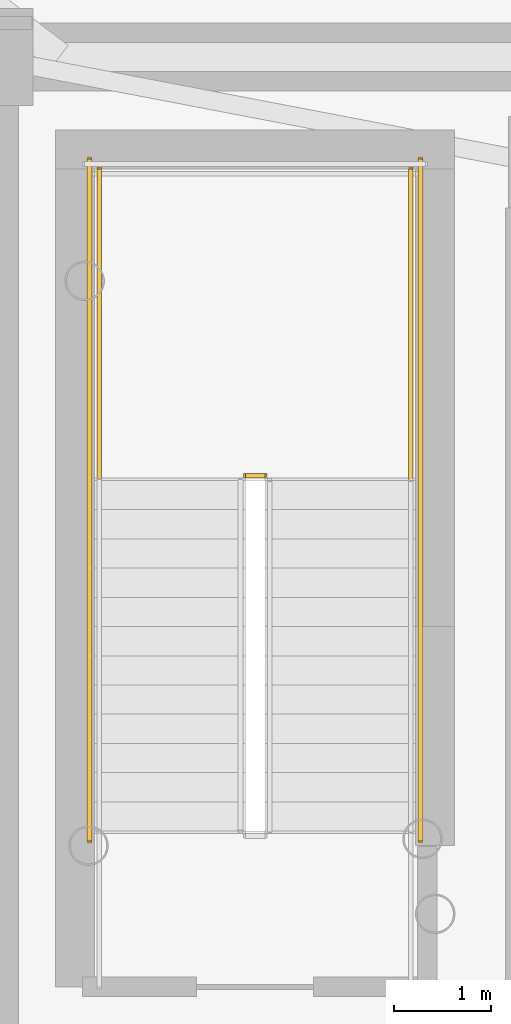
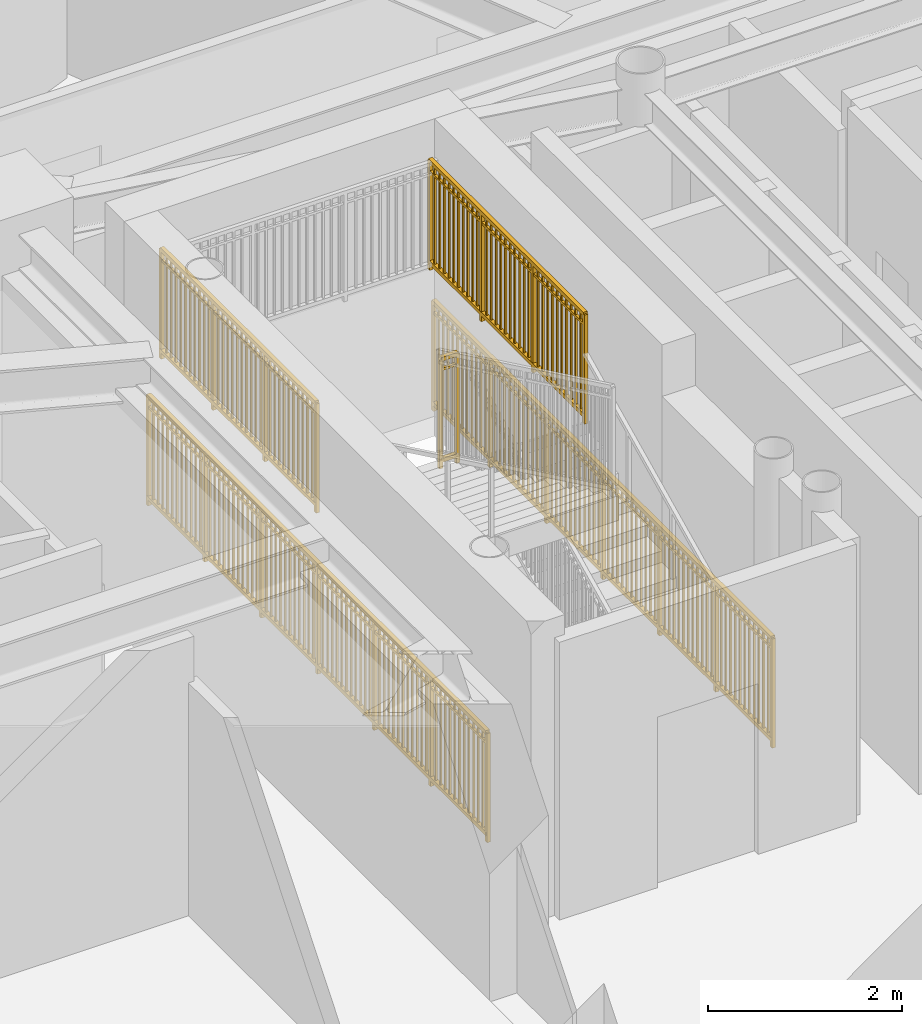
# One storey, part 13 of 18: 5 railings.
"""IFC4 building model written with IfcOpenShell, lengths in metres."""

from ifc_helpers import new_model, si_unit, direction, frame, origin, origin_2d, place, context, subcontext, project, spatial, rectangle, extrude, source, transform, mapped, material, type_object, element, save


model = new_model("IFC4")

# Units and contexts
model_context = context("Model", 3, precision=1e-05, world=origin(), true_north=direction((0.0, 1.0)))
body_context = subcontext(model_context, "Body", "Model", "MODEL_VIEW")
ifc_project = project(units=[si_unit("LENGTHUNIT", "METRE"), si_unit("AREAUNIT", "SQUARE_METRE"), si_unit("VOLUMEUNIT", "CUBIC_METRE"), si_unit("PLANEANGLEUNIT", "RADIAN"), si_unit("MASSUNIT", "GRAM", prefix="KILO")], contexts=[model_context])

# Site, building, storey
site_placement = place(None, origin())
site = spatial("IfcSite", under=ifc_project, at=site_placement, CompositionType="ELEMENT")
building_placement = place(site_placement, origin())
building = spatial("IfcBuilding", under=site, at=building_placement, Name="Linh Dai School and Residence Tower", CompositionType="ELEMENT")
storey_placement = place(building_placement, frame((0.0, 0.0, 225.300048828125)))
storey = spatial("IfcBuildingStorey", under=building, at=storey_placement, Name="L55", CompositionType="ELEMENT", Elevation=225.300048828125)

# Railings
ifc_material = material(Name="Structural Steel S355JR", Category="steel")
railing_type = type_object("IfcRailingType", Name="RL-ST-GUARD-1400", PredefinedType="GUARDRAIL", material=ifc_material)
shared_shape_1 = source(origin(), body_context, "Body", "SweptSolid", [
    extrude(rectangle(XDim=0.048095703125, YDim=0.048095703125, at=origin_2d()), frame((0.0, 0.0, 1.3759765625), z_axis=(-1.0, 0.0, 0.0), x_axis=(0.0, -1.0, 0.0)), (0.0, 0.0, 1.0), 0.199951171875),
    extrude(rectangle(XDim=0.048095703125, YDim=0.048095703125, at=origin_2d()), frame((0.0, 0.0, 0.10009765625), z_axis=(-1.0, 0.0, 0.0), x_axis=(0.0, -1.0, 0.0)), (0.0, 0.0, 1.0), 0.199951171875),
    extrude(rectangle(XDim=0.030029296875, YDim=0.030029296875, at=origin_2d()), frame((0.0, 0.0, 1.239990234375), z_axis=(-1.0, 0.0, 0.0), x_axis=(0.0, -1.0, 0.0)), (0.0, 0.0, 1.0), 0.199951171875),
    extrude(rectangle(XDim=0.0419921875, YDim=0.0419921875, at=origin_2d()), origin(), (0.0, 0.0, 1.0), 1.3759765625),
    extrude(rectangle(XDim=0.0419921875, YDim=0.0419921875, at=origin_2d()), frame((-0.199951171875, 0.0, 0.0)), (0.0, 0.0, 1.0), 1.3759765625),
])
railing_placement = place(storey_placement, frame((29.429931640625, 29.35009765625, 1.875)))
element("IfcRailing", 1, at=railing_placement, inside=storey, type_object=railing_type, Name="L55 ST1 stair guard 2", PredefinedType="GUARDRAIL", context=body_context, shape_type="MappedRepresentation", body=[
    mapped(shared_shape_1, transform((0.0, 0.0, 0.0), x_axis=(1.0, 0.0, 0.0), y_axis=(0.0, 1.0, 0.0), z_axis=(0.0, 0.0, 1.0), scale=1.0)),
])
shared_shape_2 = source(origin(), body_context, "Body", "SweptSolid", [
    extrude(rectangle(XDim=0.048095703125, YDim=0.048095703125, at=origin_2d()), frame((0.0, 0.0, 1.3759765625), z_axis=(0.0, 1.0, 0.0), x_axis=(-1.0, 0.0, 0.0)), (0.0, 0.0, 1.0), 7.0),
    extrude(rectangle(XDim=0.048095703125, YDim=0.048095703125, at=origin_2d()), frame((0.0, 0.0, 0.10009765625), z_axis=(0.0, 1.0, 0.0), x_axis=(-1.0, 0.0, 0.0)), (0.0, 0.0, 1.0), 7.0),
    extrude(rectangle(XDim=0.030029296875, YDim=0.030029296875, at=origin_2d()), frame((0.0, 0.0, 1.239990234375), z_axis=(0.0, 1.0, 0.0), x_axis=(-1.0, 0.0, 0.0)), (0.0, 0.0, 1.0), 7.0),
    extrude(rectangle(XDim=0.02001953125, YDim=0.02001953125, at=origin_2d()), frame((0.0, 0.09716796875, 0.10009765625)), (0.0, 0.0, 1.0), 1.251708984375),
    extrude(rectangle(XDim=0.02001953125, YDim=0.02001953125, at=origin_2d()), frame((0.0, 0.1943359375, 0.10009765625)), (0.0, 0.0, 1.0), 1.251708984375),
    extrude(rectangle(XDim=0.02001953125, YDim=0.02001953125, at=origin_2d()), frame((0.0, 0.291748046875, 0.10009765625)), (0.0, 0.0, 1.0), 1.251708984375),
    extrude(rectangle(XDim=0.02001953125, YDim=0.02001953125, at=origin_2d()), frame((0.0, 0.388916015625, 0.10009765625)), (0.0, 0.0, 1.0), 1.251708984375),
    extrude(rectangle(XDim=0.02001953125, YDim=0.02001953125, at=origin_2d()), frame((0.0, 0.486083984375, 0.10009765625)), (0.0, 0.0, 1.0), 1.251708984375),
    extrude(rectangle(XDim=0.02001953125, YDim=0.02001953125, at=origin_2d()), frame((0.0, 0.583251953125, 0.10009765625)), (0.0, 0.0, 1.0), 1.251708984375),
    extrude(rectangle(XDim=0.02001953125, YDim=0.02001953125, at=origin_2d()), frame((0.0, 0.6806640625, 0.10009765625)), (0.0, 0.0, 1.0), 1.251708984375),
    extrude(rectangle(XDim=0.02001953125, YDim=0.02001953125, at=origin_2d()), frame((0.0, 0.77783203125, 0.10009765625)), (0.0, 0.0, 1.0), 1.251708984375),
    extrude(rectangle(XDim=0.02001953125, YDim=0.02001953125, at=origin_2d()), frame((0.0, 0.875, 0.10009765625)), (0.0, 0.0, 1.0), 1.251708984375),
    extrude(rectangle(XDim=0.02001953125, YDim=0.02001953125, at=origin_2d()), frame((0.0, 0.97216796875, 0.10009765625)), (0.0, 0.0, 1.0), 1.251708984375),
    extrude(rectangle(XDim=0.02001953125, YDim=0.02001953125, at=origin_2d()), frame((0.0, 1.0693359375, 0.10009765625)), (0.0, 0.0, 1.0), 1.251708984375),
    extrude(rectangle(XDim=0.02001953125, YDim=0.02001953125, at=origin_2d()), frame((0.0, 1.263916015625, 0.10009765625)), (0.0, 0.0, 1.0), 1.251708984375),
    extrude(rectangle(XDim=0.02001953125, YDim=0.02001953125, at=origin_2d()), frame((0.0, 1.361083984375, 0.10009765625)), (0.0, 0.0, 1.0), 1.251708984375),
    extrude(rectangle(XDim=0.02001953125, YDim=0.02001953125, at=origin_2d()), frame((0.0, 1.458251953125, 0.10009765625)), (0.0, 0.0, 1.0), 1.251708984375),
    extrude(rectangle(XDim=0.02001953125, YDim=0.02001953125, at=origin_2d()), frame((0.0, 1.5556640625, 0.10009765625)), (0.0, 0.0, 1.0), 1.251708984375),
    extrude(rectangle(XDim=0.02001953125, YDim=0.02001953125, at=origin_2d()), frame((0.0, 1.65283203125, 0.10009765625)), (0.0, 0.0, 1.0), 1.251708984375),
    extrude(rectangle(XDim=0.02001953125, YDim=0.02001953125, at=origin_2d()), frame((0.0, 1.75, 0.10009765625)), (0.0, 0.0, 1.0), 1.251708984375),
    extrude(rectangle(XDim=0.02001953125, YDim=0.02001953125, at=origin_2d()), frame((0.0, 1.84716796875, 0.10009765625)), (0.0, 0.0, 1.0), 1.251708984375),
    extrude(rectangle(XDim=0.02001953125, YDim=0.02001953125, at=origin_2d()), frame((0.0, 1.9443359375, 0.10009765625)), (0.0, 0.0, 1.0), 1.251708984375),
    extrude(rectangle(XDim=0.02001953125, YDim=0.02001953125, at=origin_2d()), frame((0.0, 2.041748046875, 0.10009765625)), (0.0, 0.0, 1.0), 1.251708984375),
    extrude(rectangle(XDim=0.02001953125, YDim=0.02001953125, at=origin_2d()), frame((0.0, 2.138916015625, 0.10009765625)), (0.0, 0.0, 1.0), 1.251708984375),
    extrude(rectangle(XDim=0.02001953125, YDim=0.02001953125, at=origin_2d()), frame((0.0, 2.236083984375, 0.10009765625)), (0.0, 0.0, 1.0), 1.251708984375),
    extrude(rectangle(XDim=0.02001953125, YDim=0.02001953125, at=origin_2d()), frame((0.0, 2.4306640625, 0.10009765625)), (0.0, 0.0, 1.0), 1.251708984375),
    extrude(rectangle(XDim=0.02001953125, YDim=0.02001953125, at=origin_2d()), frame((0.0, 2.52783203125, 0.10009765625)), (0.0, 0.0, 1.0), 1.251708984375),
    extrude(rectangle(XDim=0.02001953125, YDim=0.02001953125, at=origin_2d()), frame((0.0, 2.625, 0.10009765625)), (0.0, 0.0, 1.0), 1.251708984375),
    extrude(rectangle(XDim=0.02001953125, YDim=0.02001953125, at=origin_2d()), frame((0.0, 2.72216796875, 0.10009765625)), (0.0, 0.0, 1.0), 1.251708984375),
    extrude(rectangle(XDim=0.02001953125, YDim=0.02001953125, at=origin_2d()), frame((0.0, 2.8193359375, 0.10009765625)), (0.0, 0.0, 1.0), 1.251708984375),
    extrude(rectangle(XDim=0.02001953125, YDim=0.02001953125, at=origin_2d()), frame((0.0, 2.916748046875, 0.10009765625)), (0.0, 0.0, 1.0), 1.251708984375),
    extrude(rectangle(XDim=0.02001953125, YDim=0.02001953125, at=origin_2d()), frame((0.0, 3.013916015625, 0.10009765625)), (0.0, 0.0, 1.0), 1.251708984375),
    extrude(rectangle(XDim=0.02001953125, YDim=0.02001953125, at=origin_2d()), frame((0.0, 3.111083984375, 0.10009765625)), (0.0, 0.0, 1.0), 1.251708984375),
    extrude(rectangle(XDim=0.02001953125, YDim=0.02001953125, at=origin_2d()), frame((0.0, 3.208251953125, 0.10009765625)), (0.0, 0.0, 1.0), 1.251708984375),
    extrude(rectangle(XDim=0.02001953125, YDim=0.02001953125, at=origin_2d()), frame((0.0, 3.3056640625, 0.10009765625)), (0.0, 0.0, 1.0), 1.251708984375),
    extrude(rectangle(XDim=0.02001953125, YDim=0.02001953125, at=origin_2d()), frame((0.0, 3.40283203125, 0.10009765625)), (0.0, 0.0, 1.0), 1.251708984375),
    extrude(rectangle(XDim=0.02001953125, YDim=0.02001953125, at=origin_2d()), frame((0.0, 3.59716796875, 0.10009765625)), (0.0, 0.0, 1.0), 1.251708984375),
    extrude(rectangle(XDim=0.02001953125, YDim=0.02001953125, at=origin_2d()), frame((0.0, 3.6943359375, 0.10009765625)), (0.0, 0.0, 1.0), 1.251708984375),
    extrude(rectangle(XDim=0.02001953125, YDim=0.02001953125, at=origin_2d()), frame((0.0, 3.791748046875, 0.10009765625)), (0.0, 0.0, 1.0), 1.251708984375),
    extrude(rectangle(XDim=0.02001953125, YDim=0.02001953125, at=origin_2d()), frame((0.0, 3.888916015625, 0.10009765625)), (0.0, 0.0, 1.0), 1.251708984375),
    extrude(rectangle(XDim=0.02001953125, YDim=0.02001953125, at=origin_2d()), frame((0.0, 3.986083984375, 0.10009765625)), (0.0, 0.0, 1.0), 1.251708984375),
    extrude(rectangle(XDim=0.02001953125, YDim=0.02001953125, at=origin_2d()), frame((0.0, 4.083251953125, 0.10009765625)), (0.0, 0.0, 1.0), 1.251708984375),
    extrude(rectangle(XDim=0.02001953125, YDim=0.02001953125, at=origin_2d()), frame((0.0, 4.1806640625, 0.10009765625)), (0.0, 0.0, 1.0), 1.251708984375),
    extrude(rectangle(XDim=0.02001953125, YDim=0.02001953125, at=origin_2d()), frame((0.0, 4.27783203125, 0.10009765625)), (0.0, 0.0, 1.0), 1.251708984375),
    extrude(rectangle(XDim=0.02001953125, YDim=0.02001953125, at=origin_2d()), frame((0.0, 4.375, 0.10009765625)), (0.0, 0.0, 1.0), 1.251708984375),
    extrude(rectangle(XDim=0.02001953125, YDim=0.02001953125, at=origin_2d()), frame((0.0, 4.47216796875, 0.10009765625)), (0.0, 0.0, 1.0), 1.251708984375),
    extrude(rectangle(XDim=0.02001953125, YDim=0.02001953125, at=origin_2d()), frame((0.0, 4.5693359375, 0.10009765625)), (0.0, 0.0, 1.0), 1.251708984375),
    extrude(rectangle(XDim=0.02001953125, YDim=0.02001953125, at=origin_2d()), frame((0.0, 4.763916015625, 0.10009765625)), (0.0, 0.0, 1.0), 1.251708984375),
    extrude(rectangle(XDim=0.02001953125, YDim=0.02001953125, at=origin_2d()), frame((0.0, 4.861083984375, 0.10009765625)), (0.0, 0.0, 1.0), 1.251708984375),
    extrude(rectangle(XDim=0.02001953125, YDim=0.02001953125, at=origin_2d()), frame((0.0, 4.958251953125, 0.10009765625)), (0.0, 0.0, 1.0), 1.251708984375),
    extrude(rectangle(XDim=0.02001953125, YDim=0.02001953125, at=origin_2d()), frame((0.0, 5.0556640625, 0.10009765625)), (0.0, 0.0, 1.0), 1.251708984375),
    extrude(rectangle(XDim=0.02001953125, YDim=0.02001953125, at=origin_2d()), frame((0.0, 5.15283203125, 0.10009765625)), (0.0, 0.0, 1.0), 1.251708984375),
    extrude(rectangle(XDim=0.02001953125, YDim=0.02001953125, at=origin_2d()), frame((0.0, 5.25, 0.10009765625)), (0.0, 0.0, 1.0), 1.251708984375),
    extrude(rectangle(XDim=0.02001953125, YDim=0.02001953125, at=origin_2d()), frame((0.0, 5.34716796875, 0.10009765625)), (0.0, 0.0, 1.0), 1.251708984375),
    extrude(rectangle(XDim=0.02001953125, YDim=0.02001953125, at=origin_2d()), frame((0.0, 5.4443359375, 0.10009765625)), (0.0, 0.0, 1.0), 1.251708984375),
    extrude(rectangle(XDim=0.02001953125, YDim=0.02001953125, at=origin_2d()), frame((0.0, 5.541748046875, 0.10009765625)), (0.0, 0.0, 1.0), 1.251708984375),
    extrude(rectangle(XDim=0.02001953125, YDim=0.02001953125, at=origin_2d()), frame((0.0, 5.638916015625, 0.10009765625)), (0.0, 0.0, 1.0), 1.251708984375),
    extrude(rectangle(XDim=0.02001953125, YDim=0.02001953125, at=origin_2d()), frame((0.0, 5.736083984375, 0.10009765625)), (0.0, 0.0, 1.0), 1.251708984375),
    extrude(rectangle(XDim=0.02001953125, YDim=0.02001953125, at=origin_2d()), frame((0.0, 5.9306640625, 0.10009765625)), (0.0, 0.0, 1.0), 1.251708984375),
    extrude(rectangle(XDim=0.02001953125, YDim=0.02001953125, at=origin_2d()), frame((0.0, 6.02783203125, 0.10009765625)), (0.0, 0.0, 1.0), 1.251708984375),
    extrude(rectangle(XDim=0.02001953125, YDim=0.02001953125, at=origin_2d()), frame((0.0, 6.125, 0.10009765625)), (0.0, 0.0, 1.0), 1.251708984375),
    extrude(rectangle(XDim=0.02001953125, YDim=0.02001953125, at=origin_2d()), frame((0.0, 6.22216796875, 0.10009765625)), (0.0, 0.0, 1.0), 1.251708984375),
    extrude(rectangle(XDim=0.02001953125, YDim=0.02001953125, at=origin_2d()), frame((0.0, 6.3193359375, 0.10009765625)), (0.0, 0.0, 1.0), 1.251708984375),
    extrude(rectangle(XDim=0.02001953125, YDim=0.02001953125, at=origin_2d()), frame((0.0, 6.416748046875, 0.10009765625)), (0.0, 0.0, 1.0), 1.251708984375),
    extrude(rectangle(XDim=0.02001953125, YDim=0.02001953125, at=origin_2d()), frame((0.0, 6.513916015625, 0.10009765625)), (0.0, 0.0, 1.0), 1.251708984375),
    extrude(rectangle(XDim=0.02001953125, YDim=0.02001953125, at=origin_2d()), frame((0.0, 6.611083984375, 0.10009765625)), (0.0, 0.0, 1.0), 1.251708984375),
    extrude(rectangle(XDim=0.02001953125, YDim=0.02001953125, at=origin_2d()), frame((0.0, 6.708251953125, 0.10009765625)), (0.0, 0.0, 1.0), 1.251708984375),
    extrude(rectangle(XDim=0.02001953125, YDim=0.02001953125, at=origin_2d()), frame((0.0, 6.8056640625, 0.10009765625)), (0.0, 0.0, 1.0), 1.251708984375),
    extrude(rectangle(XDim=0.02001953125, YDim=0.02001953125, at=origin_2d()), frame((0.0, 6.90283203125, 0.10009765625)), (0.0, 0.0, 1.0), 1.251708984375),
    extrude(rectangle(XDim=0.0419921875, YDim=0.0419921875, at=origin_2d()), origin(), (0.0, 0.0, 1.0), 1.3759765625),
    extrude(rectangle(XDim=0.0419921875, YDim=0.0419921875, at=origin_2d()), frame((0.0, 1.166748046875, 0.0)), (0.0, 0.0, 1.0), 1.3759765625),
    extrude(rectangle(XDim=0.0419921875, YDim=0.0419921875, at=origin_2d()), frame((0.0, 2.333251953125, 0.0)), (0.0, 0.0, 1.0), 1.3759765625),
    extrude(rectangle(XDim=0.0419921875, YDim=0.0419921875, at=origin_2d()), frame((0.0, 3.5, 0.0)), (0.0, 0.0, 1.0), 1.3759765625),
    extrude(rectangle(XDim=0.0419921875, YDim=0.0419921875, at=origin_2d()), frame((0.0, 4.666748046875, 0.0)), (0.0, 0.0, 1.0), 1.3759765625),
    extrude(rectangle(XDim=0.0419921875, YDim=0.0419921875, at=origin_2d()), frame((0.0, 5.833251953125, 0.0)), (0.0, 0.0, 1.0), 1.3759765625),
    extrude(rectangle(XDim=0.0419921875, YDim=0.0419921875, at=origin_2d()), frame((0.0, 7.0, 0.0)), (0.0, 0.0, 1.0), 1.3759765625),
])
for number, where, name in (
    (2, (31.030029296875, 25.60009765625, 0.0), "L55 ST1 stair guard 10"),
    (3, (27.6298828125, 25.60009765625, 0.0), "L55 ST1 stair guard 11"),
):
    element("IfcRailing", number, at=place(storey_placement, frame(where)), inside=storey, type_object=railing_type, Name=name, PredefinedType="GUARDRAIL", context=body_context, shape_type="MappedRepresentation", body=[
        mapped(shared_shape_2, transform((0.0, 0.0, 0.0), x_axis=(1.0, 0.0, 0.0), y_axis=(0.0, 1.0, 0.0), z_axis=(0.0, 0.0, 1.0), scale=1.0)),
    ])
shared_shape_3 = source(origin(), body_context, "Body", "SweptSolid", [
    extrude(rectangle(XDim=0.048095703125, YDim=0.048095703125, at=origin_2d()), frame((0.0, 0.0, 1.3759765625), z_axis=(0.0, 1.0, 0.0), x_axis=(-1.0, 0.0, 0.0)), (0.0, 0.0, 1.0), 3.199951171875),
    extrude(rectangle(XDim=0.048095703125, YDim=0.048095703125, at=origin_2d()), frame((0.0, 0.0, 0.10009765625), z_axis=(0.0, 1.0, 0.0), x_axis=(-1.0, 0.0, 0.0)), (0.0, 0.0, 1.0), 3.199951171875),
    extrude(rectangle(XDim=0.030029296875, YDim=0.030029296875, at=origin_2d()), frame((0.0, 0.0, 1.239990234375), z_axis=(0.0, 1.0, 0.0), x_axis=(-1.0, 0.0, 0.0)), (0.0, 0.0, 1.0), 3.199951171875),
    extrude(rectangle(XDim=0.02001953125, YDim=0.02001953125, at=origin_2d()), frame((0.0, 0.096923828125, 0.10009765625)), (0.0, 0.0, 1.0), 1.251708984375),
    extrude(rectangle(XDim=0.02001953125, YDim=0.02001953125, at=origin_2d()), frame((0.0, 0.19384765625, 0.10009765625)), (0.0, 0.0, 1.0), 1.251708984375),
    extrude(rectangle(XDim=0.02001953125, YDim=0.02001953125, at=origin_2d()), frame((0.0, 0.291015625, 0.10009765625)), (0.0, 0.0, 1.0), 1.251708984375),
    extrude(rectangle(XDim=0.02001953125, YDim=0.02001953125, at=origin_2d()), frame((0.0, 0.387939453125, 0.10009765625)), (0.0, 0.0, 1.0), 1.251708984375),
    extrude(rectangle(XDim=0.02001953125, YDim=0.02001953125, at=origin_2d()), frame((0.0, 0.48486328125, 0.10009765625)), (0.0, 0.0, 1.0), 1.251708984375),
    extrude(rectangle(XDim=0.02001953125, YDim=0.02001953125, at=origin_2d()), frame((0.0, 0.581787109375, 0.10009765625)), (0.0, 0.0, 1.0), 1.251708984375),
    extrude(rectangle(XDim=0.02001953125, YDim=0.02001953125, at=origin_2d()), frame((0.0, 0.6787109375, 0.10009765625)), (0.0, 0.0, 1.0), 1.251708984375),
    extrude(rectangle(XDim=0.02001953125, YDim=0.02001953125, at=origin_2d()), frame((0.0, 0.775634765625, 0.10009765625)), (0.0, 0.0, 1.0), 1.251708984375),
    extrude(rectangle(XDim=0.02001953125, YDim=0.02001953125, at=origin_2d()), frame((0.0, 0.872802734375, 0.10009765625)), (0.0, 0.0, 1.0), 1.251708984375),
    extrude(rectangle(XDim=0.02001953125, YDim=0.02001953125, at=origin_2d()), frame((0.0, 0.9697265625, 0.10009765625)), (0.0, 0.0, 1.0), 1.251708984375),
    extrude(rectangle(XDim=0.02001953125, YDim=0.02001953125, at=origin_2d()), frame((0.0, 1.16357421875, 0.10009765625)), (0.0, 0.0, 1.0), 1.251708984375),
    extrude(rectangle(XDim=0.02001953125, YDim=0.02001953125, at=origin_2d()), frame((0.0, 1.260498046875, 0.10009765625)), (0.0, 0.0, 1.0), 1.251708984375),
    extrude(rectangle(XDim=0.02001953125, YDim=0.02001953125, at=origin_2d()), frame((0.0, 1.357666015625, 0.10009765625)), (0.0, 0.0, 1.0), 1.251708984375),
    extrude(rectangle(XDim=0.02001953125, YDim=0.02001953125, at=origin_2d()), frame((0.0, 1.45458984375, 0.10009765625)), (0.0, 0.0, 1.0), 1.251708984375),
    extrude(rectangle(XDim=0.02001953125, YDim=0.02001953125, at=origin_2d()), frame((0.0, 1.551513671875, 0.10009765625)), (0.0, 0.0, 1.0), 1.251708984375),
    extrude(rectangle(XDim=0.02001953125, YDim=0.02001953125, at=origin_2d()), frame((0.0, 1.6484375, 0.10009765625)), (0.0, 0.0, 1.0), 1.251708984375),
    extrude(rectangle(XDim=0.02001953125, YDim=0.02001953125, at=origin_2d()), frame((0.0, 1.745361328125, 0.10009765625)), (0.0, 0.0, 1.0), 1.251708984375),
    extrude(rectangle(XDim=0.02001953125, YDim=0.02001953125, at=origin_2d()), frame((0.0, 1.84228515625, 0.10009765625)), (0.0, 0.0, 1.0), 1.251708984375),
    extrude(rectangle(XDim=0.02001953125, YDim=0.02001953125, at=origin_2d()), frame((0.0, 1.939453125, 0.10009765625)), (0.0, 0.0, 1.0), 1.251708984375),
    extrude(rectangle(XDim=0.02001953125, YDim=0.02001953125, at=origin_2d()), frame((0.0, 2.036376953125, 0.10009765625)), (0.0, 0.0, 1.0), 1.251708984375),
    extrude(rectangle(XDim=0.02001953125, YDim=0.02001953125, at=origin_2d()), frame((0.0, 2.230224609375, 0.10009765625)), (0.0, 0.0, 1.0), 1.251708984375),
    extrude(rectangle(XDim=0.02001953125, YDim=0.02001953125, at=origin_2d()), frame((0.0, 2.3271484375, 0.10009765625)), (0.0, 0.0, 1.0), 1.251708984375),
    extrude(rectangle(XDim=0.02001953125, YDim=0.02001953125, at=origin_2d()), frame((0.0, 2.42431640625, 0.10009765625)), (0.0, 0.0, 1.0), 1.251708984375),
    extrude(rectangle(XDim=0.02001953125, YDim=0.02001953125, at=origin_2d()), frame((0.0, 2.521240234375, 0.10009765625)), (0.0, 0.0, 1.0), 1.251708984375),
    extrude(rectangle(XDim=0.02001953125, YDim=0.02001953125, at=origin_2d()), frame((0.0, 2.6181640625, 0.10009765625)), (0.0, 0.0, 1.0), 1.251708984375),
    extrude(rectangle(XDim=0.02001953125, YDim=0.02001953125, at=origin_2d()), frame((0.0, 2.715087890625, 0.10009765625)), (0.0, 0.0, 1.0), 1.251708984375),
    extrude(rectangle(XDim=0.02001953125, YDim=0.02001953125, at=origin_2d()), frame((0.0, 2.81201171875, 0.10009765625)), (0.0, 0.0, 1.0), 1.251708984375),
    extrude(rectangle(XDim=0.02001953125, YDim=0.02001953125, at=origin_2d()), frame((0.0, 2.908935546875, 0.10009765625)), (0.0, 0.0, 1.0), 1.251708984375),
    extrude(rectangle(XDim=0.02001953125, YDim=0.02001953125, at=origin_2d()), frame((0.0, 3.006103515625, 0.10009765625)), (0.0, 0.0, 1.0), 1.251708984375),
    extrude(rectangle(XDim=0.02001953125, YDim=0.02001953125, at=origin_2d()), frame((0.0, 3.10302734375, 0.10009765625)), (0.0, 0.0, 1.0), 1.251708984375),
    extrude(rectangle(XDim=0.0419921875, YDim=0.0419921875, at=origin_2d()), origin(), (0.0, 0.0, 1.0), 1.3759765625),
    extrude(rectangle(XDim=0.0419921875, YDim=0.0419921875, at=origin_2d()), frame((0.0, 1.066650390625, 0.0)), (0.0, 0.0, 1.0), 1.3759765625),
    extrude(rectangle(XDim=0.0419921875, YDim=0.0419921875, at=origin_2d()), frame((0.0, 2.13330078125, 0.0)), (0.0, 0.0, 1.0), 1.3759765625),
    extrude(rectangle(XDim=0.0419921875, YDim=0.0419921875, at=origin_2d()), frame((0.0, 3.199951171875, 0.0)), (0.0, 0.0, 1.0), 1.3759765625),
])
for number, where, name in (
    (4, (30.929931640625, 29.300048828125, 1.875), "L55 ST1 stair guard 3"),
    (5, (27.72998046875, 29.300048828125, 1.875), "L55 ST1 stair guard 4"),
):
    element("IfcRailing", number, at=place(storey_placement, frame(where)), inside=storey, type_object=railing_type, Name=name, PredefinedType="GUARDRAIL", context=body_context, shape_type="MappedRepresentation", body=[
        mapped(shared_shape_3, transform((0.0, 0.0, 0.0), x_axis=(1.0, 0.0, 0.0), y_axis=(0.0, 1.0, 0.0), z_axis=(0.0, 0.0, 1.0), scale=1.0)),
    ])

save(model, "model.ifc")
